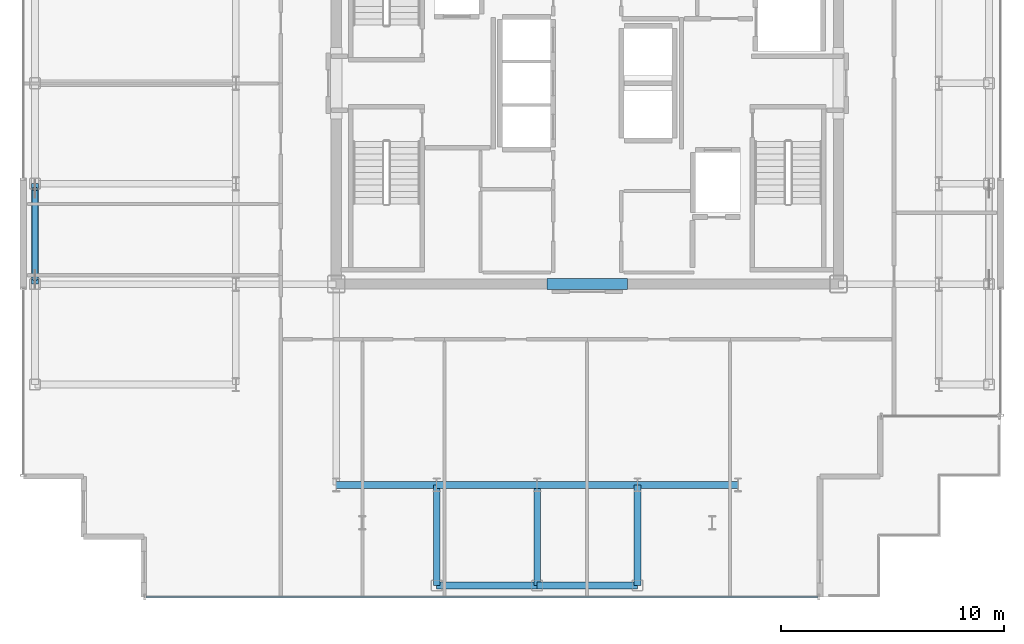
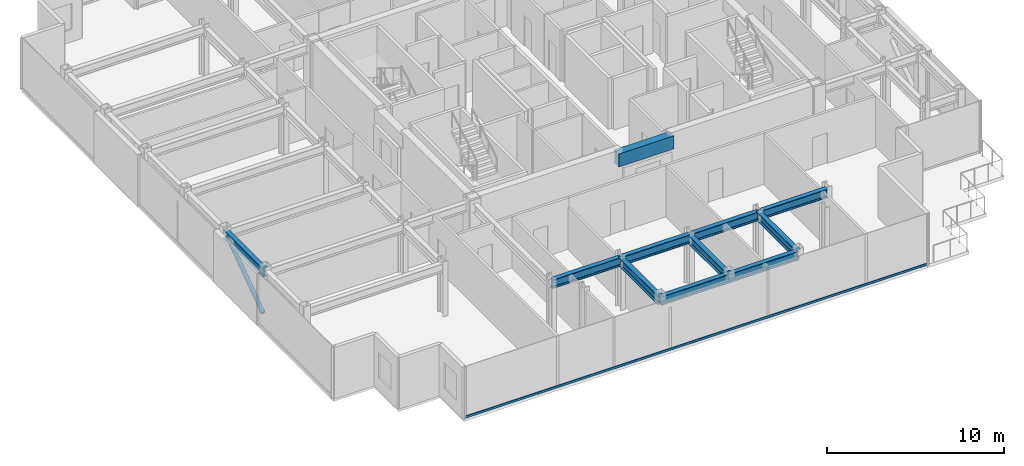
# One storey, part 3 of 18: 11 beams, 2 members, 1 element without a shape of its own.
"""IFC4 building model written with IfcOpenShell, lengths in metres."""

from ifc_helpers import new_model, si_unit, direction, frame, origin, origin_2d, place, context, subcontext, project, spatial, rectangle, hollow_rectangle, hollow_circle, i_section, extrude, source, transform, mapped, material, layer, layer_set, material_profile, profile_set, type_object, element, aggregate, save


model = new_model("IFC4")

# Units and contexts
model_context = context("Model", 3, precision=1e-05, world=origin(), true_north=direction((0.0, 1.0)))
body_context = subcontext(model_context, "Body", "Model", "MODEL_VIEW")
ifc_project = project(units=[si_unit("LENGTHUNIT", "METRE"), si_unit("AREAUNIT", "SQUARE_METRE"), si_unit("VOLUMEUNIT", "CUBIC_METRE"), si_unit("PLANEANGLEUNIT", "RADIAN"), si_unit("MASSUNIT", "GRAM", prefix="KILO")], contexts=[model_context])

# Site, building, storey
site_placement = place(None, origin())
site = spatial("IfcSite", under=ifc_project, at=site_placement, CompositionType="ELEMENT")
building_placement = place(site_placement, origin())
building = spatial("IfcBuilding", under=site, at=building_placement, Name="Nefas-Gora Pilgrimage Tower", CompositionType="ELEMENT")
storey_placement = place(building_placement, frame((0.0, 0.0, 298.800048828125)))
storey = spatial("IfcBuildingStorey", under=building, at=storey_placement, Name="L75", CompositionType="ELEMENT", Elevation=298.800048828125)

# Beams
ifc_material_1 = material(Name="Concrete C50/60", Category="concrete")
ifc_material_profile_1 = material_profile(ifc_material_1, rectangle(XDim=0.5, YDim=0.89990234375, at=origin_2d()), Name="RC 500x900")
ifc_profile_set_1 = profile_set([ifc_material_profile_1], Name="Concrete C50/60")
beam_type_1 = type_object("IfcBeamType", Name="BM-LIN-RC900", PredefinedType="LINTEL", material=ifc_profile_set_1)
shared_shape_1 = source(origin(), body_context, "Body", "SweptSolid", [
    extrude(rectangle(XDim=0.5, YDim=0.89990234375, at=origin_2d()), origin(), (0.0, 0.0, 1.0), 3.60009765625),
])
beam_placement = place(storey_placement, frame((-1.800048828125, -9.0, 3.099853515625), z_axis=(1.0, 0.0, 0.0), x_axis=(0.0, 1.0, 0.0)))
element("IfcBeam", 1, at=beam_placement, inside=storey, type_object=beam_type_1, Name="L75 Core Coupling Lintel Beam S", PredefinedType="LINTEL", context=body_context, shape_type="MappedRepresentation", body=[
    mapped(shared_shape_1, transform((0.0, 0.0, 0.0), x_axis=(1.0, 0.0, 0.0), y_axis=(0.0, 1.0, 0.0), z_axis=(0.0, 0.0, 1.0), scale=1.0)),
])
ifc_material_2 = material(Name="Steel S355", Category="steel")
ifc_material_profile_2 = material_profile(ifc_material_2, i_section(OverallWidth=0.300048828125, OverallDepth=0.60009765625, WebThickness=0.015380859375, FlangeThickness=0.030029296875, FilletRadius=0.027099609375, at=origin_2d()), Name="HEB 600")
ifc_profile_set_2 = profile_set([ifc_material_profile_2], Name="Steel S355")
beam_type_2 = type_object("IfcBeamType", Name="BM-SPN-HEB450", PredefinedType="SPANDREL", material=ifc_profile_set_2)
shared_shape_2 = source(origin(), body_context, "Body", "SweptSolid", [
    extrude(i_section(OverallWidth=0.300048828125, OverallDepth=0.60009765625, WebThickness=0.015380859375, FlangeThickness=0.030029296875, FilletRadius=0.027099609375, at=origin_2d()), origin(), (0.0, 0.0, 1.0), 4.5),
])
for number, where, z_axis, x_axis, name in (
    (2, (-24.75, -9.0, 3.25), (0.0, 1.0, 0.0), (-1.0, 0.0, 0.0), "L75 SP-03 beam"),
    (3, (-6.75, -22.5, 3.25), (1.0, 0.0, 0.0), (0.0, 1.0, 0.0), "L75 SP-03 beam"),
    (4, (-2.25, -22.5, 3.25), (1.0, 0.0, 0.0), (0.0, 1.0, 0.0), "L75 SP-03 beam"),
):
    element("IfcBeam", number, at=place(storey_placement, frame(where, z_axis=z_axis, x_axis=x_axis)), inside=storey, type_object=beam_type_2, Name=name, PredefinedType="SPANDREL", context=body_context, shape_type="MappedRepresentation", body=[
        mapped(shared_shape_2, transform((0.0, 0.0, 0.0), x_axis=(1.0, 0.0, 0.0), y_axis=(0.0, 1.0, 0.0), z_axis=(0.0, 0.0, 1.0), scale=1.0)),
    ])
ifc_material_profile_3 = material_profile(ifc_material_2, i_section(OverallWidth=0.300048828125, OverallDepth=0.60009765625, WebThickness=0.015380859375, FlangeThickness=0.030029296875, FilletRadius=0.027099609375, at=origin_2d()), Name="HEB 600")
ifc_profile_set_3 = profile_set([ifc_material_profile_3], Name="Steel S355")
beam_type_3 = type_object("IfcBeamType", Name="BM-GIR-HEB600", PredefinedType="BEAM", material=ifc_profile_set_3)
shared_shape_3 = source(origin(), body_context, "Body", "SweptSolid", [
    extrude(i_section(OverallWidth=0.300048828125, OverallDepth=0.60009765625, WebThickness=0.015380859375, FlangeThickness=0.030029296875, FilletRadius=0.027099609375, at=origin_2d()), origin(), (0.0, 0.0, 1.0), 4.5),
])
for number, where, z_axis, x_axis, name in (
    (5, (-11.25, -18.0, 3.25), (1.0, 0.0, 0.0), (0.0, 1.0, 0.0), "L75 G-04 beam"),
    (6, (-6.75, -22.5, 3.25), (0.0, 1.0, 0.0), (-1.0, 0.0, 0.0), "L75 G-04 beam"),
    (7, (-6.75, -18.0, 3.25), (1.0, 0.0, 0.0), (0.0, 1.0, 0.0), "L75 G-04 beam"),
    (8, (-2.25, -22.5, 3.25), (0.0, 1.0, 0.0), (-1.0, 0.0, 0.0), "L75 G-04 beam"),
    (9, (-2.25, -18.0, 3.25), (1.0, 0.0, 0.0), (0.0, 1.0, 0.0), "L75 G-04 beam"),
    (10, (2.25, -22.5, 3.25), (0.0, 1.0, 0.0), (-1.0, 0.0, 0.0), "L75 G-04 beam"),
    (11, (2.25, -18.0, 3.25), (1.0, 0.0, 0.0), (0.0, 1.0, 0.0), "L75 G-04 beam"),
):
    element("IfcBeam", number, at=place(storey_placement, frame(where, z_axis=z_axis, x_axis=x_axis)), inside=storey, type_object=beam_type_3, Name=name, PredefinedType="BEAM", context=body_context, shape_type="MappedRepresentation", body=[
        mapped(shared_shape_3, transform((0.0, 0.0, 0.0), x_axis=(1.0, 0.0, 0.0), y_axis=(0.0, 1.0, 0.0), z_axis=(0.0, 0.0, 1.0), scale=1.0)),
    ])

# Member
ifc_material_profile_4 = material_profile(ifc_material_2, hollow_circle(Radius=0.136474609375, WallThickness=0.01611328125, at=origin_2d()), Name="CHS 273x16")
ifc_profile_set_4 = profile_set([ifc_material_profile_4], Name="Steel S355")
member_type_1 = type_object("IfcMemberType", Name="MEM-TUBE-273", PredefinedType="BRACE", material=ifc_profile_set_4)
shared_shape_4 = source(origin(), body_context, "Body", "SweptSolid", [
    extrude(hollow_circle(Radius=0.136474609375, WallThickness=0.01611328125, at=origin_2d()), origin(), (0.0, 0.0, 1.0), 4.947998046875),
])
member_1_placement = place(storey_placement, frame((-24.75, -8.761962890625, 0.3203125), z_axis=(0.0, 0.813239767156, 0.581928759485), x_axis=(-1.0, 0.0, 0.0)))
element("IfcMember", 12, at=member_1_placement, inside=storey, type_object=member_type_1, Name="L75 Perimeter Tube Diagonal Brace W1", PredefinedType="BRACE", context=body_context, shape_type="MappedRepresentation", body=[
    mapped(shared_shape_4, transform((0.0, 0.0, 0.0), x_axis=(1.0, 0.0, 0.0), y_axis=(0.0, 1.0, 0.0), z_axis=(0.0, 0.0, 1.0), scale=1.0)),
])

# Curtain wall, member
ifc_material_3 = material(Name="Dark ceramic-fritted solar-control aluminium-glass curtain wall", Category="aluminium")
ifc_layer = layer(ifc_material_3, 0.219970703125)
ifc_layer_set = layer_set([ifc_layer], Name="Dark ceramic-fritted solar-control aluminium-glass curtain wall")
curtain_wall_type = type_object("IfcCurtainWallType", Name="CW-SYS-4", PredefinedType="NOTDEFINED", material=ifc_layer_set)
curtain_wall_placement = place(storey_placement, origin())
curtain_wall = element("IfcCurtainWall", 13, at=curtain_wall_placement, inside=storey, type_object=curtain_wall_type, Name="L75 Unitised Curtain Wall CW4", PredefinedType="NOTDEFINED")
ifc_material_4 = material(Name="Anodised architectural aluminium", Category="aluminium")
ifc_material_profile_5 = material_profile(ifc_material_4, hollow_rectangle(XDim=0.080078125, YDim=0.159912109375, WallThickness=0.00439453125, InnerFilletRadius=0.00439453125, OuterFilletRadius=0.009033203125, at=origin_2d()), Name="ALU TRANSOM 80x160")
ifc_profile_set_5 = profile_set([ifc_material_profile_5], Name="Anodised architectural aluminium")
member_type_2 = type_object("IfcMemberType", Name="CWM-TRN-4", PredefinedType="USERDEFINED", material=ifc_profile_set_5)
shared_shape_5 = source(origin(), body_context, "Body", "SweptSolid", [
    extrude(hollow_rectangle(XDim=0.080078125, YDim=0.159912109375, WallThickness=0.00439453125, InnerFilletRadius=0.00439453125, OuterFilletRadius=0.009033203125, at=origin_2d()), origin(), (0.0, 0.0, 1.0), 30.110107421875),
])
member_2_placement = place(storey_placement, frame((-19.780029296875, -23.02001953125, 0.050048828125), z_axis=(1.0, 0.0, 0.0), x_axis=(0.0, 1.0, 0.0)))
member_2 = element("IfcMember", 14, at=member_2_placement, type_object=member_type_2, Name="CW4 Spandrel Transom", ObjectType="TRANSOM", PredefinedType="USERDEFINED", context=body_context, shape_type="MappedRepresentation", body=[
    mapped(shared_shape_5, transform((0.0, 0.0, 0.0), x_axis=(1.0, 0.0, 0.0), y_axis=(0.0, 1.0, 0.0), z_axis=(0.0, 0.0, 1.0), scale=1.0)),
])
aggregate(curtain_wall, [member_2])

save(model, "model.ifc")
